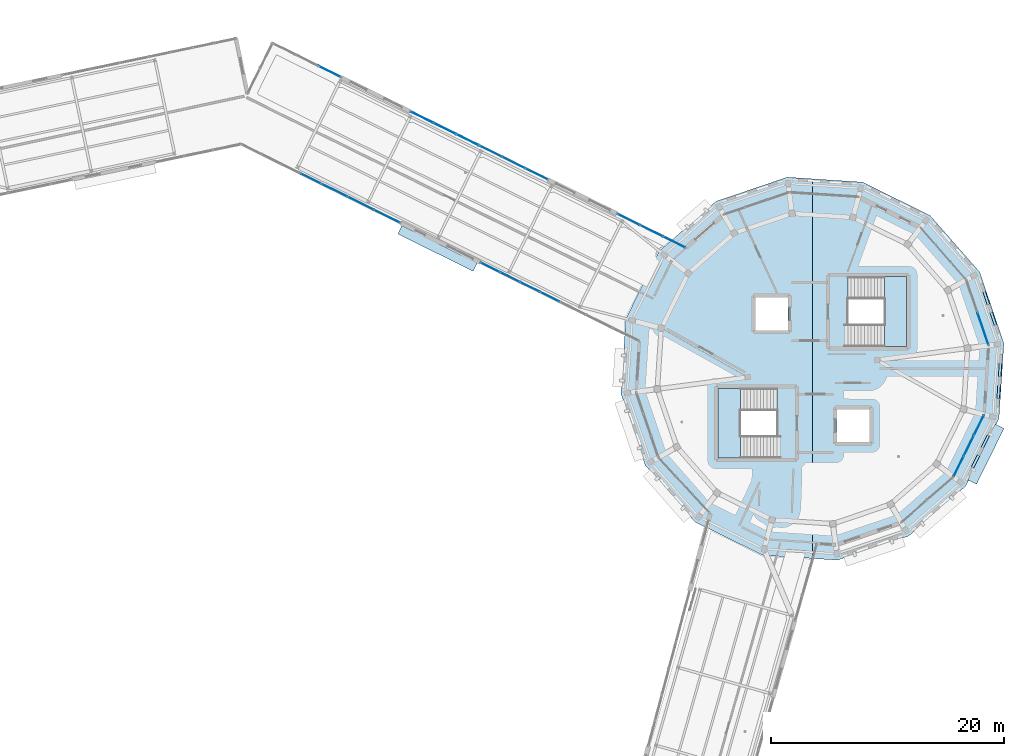
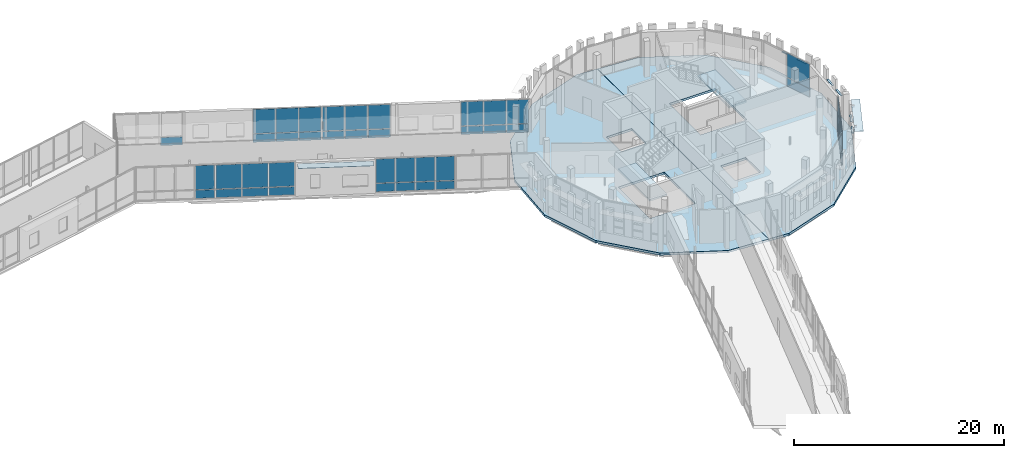
# One storey, part 82 of 125: 51 plates, 4 slabs, 11 elements without a shape of their own.
"""IFC4 building model written with IfcOpenShell, lengths in metres."""

import ifcopenshell
import ifcopenshell.guid

model = None  # the IFC model being written
_history = None  # IfcOwnerHistory: only IFC2X3 demands one
_inside = {}  # id of a spatial element -> (the spatial element, [elements in it])
_under = {}  # id of a project, library or spatial element -> (it, [spatial elements below it])
_declared = {}  # id of a project -> (the project, [libraries it declares])
_typed = {}  # id of a type object -> (the type object, [elements of that type])
_made_of = {}  # id of a material, layer set ... -> (it, [elements and type objects made of it])


def new_model(schema):
    """Start an empty IFC model of exactly this schema.

    Asked for "IFC4X3", IfcOpenShell would pick the latest addendum, in which some entities
    have other attributes; the version numbers below select the first issue.
    IFC2X3 requires an IfcOwnerHistory on every rooted entity: one is made here for all.
    """
    global model, _history
    if schema == "IFC4X3":
        model = ifcopenshell.file(schema_version=(4, 3, 0, 0))
    else:
        model = ifcopenshell.file(schema=schema)
    _inside.clear()
    _under.clear()
    _declared.clear()
    _typed.clear()
    _made_of.clear()
    _history = None
    if model.schema == "IFC2X3":
        org = make("IfcOrganization", Name="unknown")
        user = make(
            "IfcPersonAndOrganization",
            ThePerson=make("IfcPerson", FamilyName="unknown"),
            TheOrganization=org,
        )
        app = make(
            "IfcApplication",
            ApplicationDeveloper=org,
            Version="unknown",
            ApplicationFullName="unknown",
            ApplicationIdentifier="unknown",
        )
        _history = make(
            "IfcOwnerHistory",
            OwningUser=user,
            OwningApplication=app,
            ChangeAction="ADDED",
            CreationDate=0,
        )
    return model


def make(cls, **values):
    """One entity of the class cls with the attributes given. An attribute that is None is left unset."""
    return model.create_entity(
        cls, **{name: value for name, value in values.items() if value is not None}
    )


def rooted(cls, **values):
    """An entity with a GlobalId (a new one), such as an element, a storey or a relation."""
    return make(cls, GlobalId=ifcopenshell.guid.new(), OwnerHistory=_history, **values)


def si_unit(unit_type, name, prefix=None):
    """IfcSIUnit, for example si_unit("LENGTHUNIT", "METRE", prefix="MILLI")."""
    return make("IfcSIUnit", UnitType=unit_type, Prefix=prefix, Name=name)


def assignment(units):
    """IfcUnitAssignment: the units of a project."""
    return None if units is None else make("IfcUnitAssignment", Units=units)


def point(xyz):
    """IfcCartesianPoint."""
    return None if xyz is None else make("IfcCartesianPoint", Coordinates=xyz)


def direction(xyz):
    """IfcDirection."""
    return None if xyz is None else make("IfcDirection", DirectionRatios=xyz)


def frame(location, z_axis=None, x_axis=None):
    """IfcAxis2Placement3D, a coordinate frame: its origin and axes. An axis left out is left unset."""
    return make(
        "IfcAxis2Placement3D",
        Location=point(location),
        Axis=direction(z_axis),
        RefDirection=direction(x_axis),
    )


def frame_2d(location, x_axis=None):
    """IfcAxis2Placement2D, a coordinate frame in the plane: its origin and x axis."""
    return make(
        "IfcAxis2Placement2D", Location=point(location), RefDirection=direction(x_axis)
    )


def origin():
    """The frame at (0, 0, 0) with its axes left unset."""
    return frame((0.0, 0.0, 0.0))


def origin_2d():
    """The frame at (0, 0) in the plane with its x axis left unset."""
    return frame_2d((0.0, 0.0))


def place(relative_to, where):
    """IfcLocalPlacement: puts the frame where relative to a parent placement (None: the world)."""
    return make(
        "IfcLocalPlacement", PlacementRelTo=relative_to, RelativePlacement=where
    )


def context(
    kind, dimensions, precision=None, world=None, true_north=None, identifier=None
):
    """IfcGeometricRepresentationContext, for example the 3D "Model" context."""
    return make(
        "IfcGeometricRepresentationContext",
        ContextIdentifier=identifier,
        ContextType=kind,
        CoordinateSpaceDimension=dimensions,
        Precision=precision,
        WorldCoordinateSystem=world,
        TrueNorth=true_north,
    )


def subcontext(parent, identifier, kind, view, scale=None):
    """IfcGeometricRepresentationSubContext, for example "Body" below "Model"."""
    return make(
        "IfcGeometricRepresentationSubContext",
        ContextIdentifier=identifier,
        ContextType=kind,
        ParentContext=parent,
        TargetScale=scale,
        TargetView=view,
    )


def project(units=None, contexts=None):
    """IfcProject with its units and contexts."""
    return rooted(
        "IfcProject",
        Name="project",
        RepresentationContexts=contexts,
        UnitsInContext=assignment(units),
    )


def spatial(cls, under=None, at=None, **own):
    """A site, building, storey or space (cls), placed at a placement, below another one or the project."""
    s = rooted(cls, ObjectPlacement=at, **own)
    if under is not None:
        _under.setdefault(under.id(), (under, []))[1].append(s)
    return s


def polyline(points):
    """IfcPolyline through the points."""
    return make("IfcPolyline", Points=[point(p) for p in points])


def profile(cls, at=None, kind="AREA", **sizes):
    """A parametric profile (cls). Its sizes go by their IFC names, for example OverallWidth=200.0."""
    return make(cls, ProfileType=kind, Position=at, **sizes)


def rectangle(**sizes):
    """IfcRectangleProfileDef."""
    return profile("IfcRectangleProfileDef", **sizes)


def outline(outer, holes=None, kind="AREA"):
    """IfcArbitraryClosedProfileDef: a profile drawn as a closed curve; with holes, ...WithVoids."""
    if holes is None:
        return make("IfcArbitraryClosedProfileDef", ProfileType=kind, OuterCurve=outer)
    return make(
        "IfcArbitraryProfileDefWithVoids",
        ProfileType=kind,
        OuterCurve=outer,
        InnerCurves=holes,
    )


def extrude(swept, where, along, depth):
    """IfcExtrudedAreaSolid: the profile swept, set in the frame where, extruded along a direction by depth."""
    return make(
        "IfcExtrudedAreaSolid",
        SweptArea=swept,
        Position=where,
        ExtrudedDirection=direction(along),
        Depth=depth,
    )


def shape(context_of_items, identifier, shape_type, items):
    """IfcShapeRepresentation: the items that make up one representation, for example the "Body"."""
    return make(
        "IfcShapeRepresentation",
        ContextOfItems=context_of_items,
        RepresentationIdentifier=identifier,
        RepresentationType=shape_type,
        Items=items,
    )


def material(Name=None, Category=None):
    """IfcMaterial."""
    return make("IfcMaterial", Name=Name, Category=Category)


def layer(
    of_material, thickness, ventilated=None, Name=None, Category=None, Priority=None
):
    """IfcMaterialLayer: one layer of a wall or slab, of a material (None: an air gap)."""
    return make(
        "IfcMaterialLayer",
        Material=of_material,
        LayerThickness=thickness,
        IsVentilated=ventilated,
        Name=Name,
        Category=Category,
        Priority=Priority,
    )


def layer_set(layers, Name=None):
    """IfcMaterialLayerSet."""
    return make("IfcMaterialLayerSet", MaterialLayers=layers, LayerSetName=Name)


def made_of(thing, what):
    """Note that an element or type object is made of a material, layer set ...; save() writes the relation."""
    if what is not None:
        _made_of.setdefault(what.id(), (what, []))[1].append(thing)
    return thing


def type_object(cls, material=None, **own):
    """A type object (cls), such as IfcWallType, which elements share."""
    return made_of(rooted(cls, **own), material)


def element(
    cls,
    number,
    at=None,
    inside=None,
    cuts=None,
    type_object=None,
    material=None,
    context=None,
    identifier="Body",
    shape_type=None,
    held_by="IfcProductDefinitionShape",
    body=None,
    shapes=None,
    **own,
):
    """One element of the class cls, such as IfcWall. Its Tag is "e" and its number.

    at: its placement. inside: the storey or other place that contains it. cuts: it is an
    opening in that element (IfcRelVoidsElement). A single representation is given by context,
    identifier, shape_type and body (its items); several are given by shapes. held_by: the class
    of the entity that holds the representations. save() writes the other relations.
    """
    e = rooted(cls, Tag="e%d" % number, ObjectPlacement=at, **own)
    if body is not None:
        shapes = [shape(context, identifier, shape_type, body)]
    if shapes is not None:
        e.Representation = make(held_by, Representations=shapes)
    if inside is not None:
        _inside.setdefault(inside.id(), (inside, []))[1].append(e)
    if cuts is not None:
        rooted(
            "IfcRelVoidsElement", RelatingBuildingElement=cuts, RelatedOpeningElement=e
        )
    if type_object is not None:
        _typed.setdefault(type_object.id(), (type_object, []))[1].append(e)
    return made_of(e, material)


def aggregate(whole, parts):
    """IfcRelAggregates: a whole, such as a stair, and the parts it consists of."""
    return rooted("IfcRelAggregates", RelatingObject=whole, RelatedObjects=parts)


def save(model, path):
    """Write the relations noted so far, then the file.

    IfcRelAggregates (storeys below a building ...), IfcRelContainedInSpatialStructure (elements
    in a storey), IfcRelDefinesByType, IfcRelAssociatesMaterial and IfcRelDeclares: one each for
    every whole, place, type object, material and project.
    """
    for whole, parts in _under.values():
        aggregate(whole, parts)
    for where, things in _inside.values():
        rooted(
            "IfcRelContainedInSpatialStructure",
            RelatedElements=things,
            RelatingStructure=where,
        )
    for kind, things in _typed.values():
        rooted("IfcRelDefinesByType", RelatedObjects=things, RelatingType=kind)
    for what, things in _made_of.values():
        rooted("IfcRelAssociatesMaterial", RelatedObjects=things, RelatingMaterial=what)
    for by, libraries in _declared.values():
        rooted("IfcRelDeclares", RelatingContext=by, RelatedDefinitions=libraries)
    model.write(path)


model = new_model("IFC4")

# Units and contexts
model_context = context("Model", 3, precision=1e-05, world=origin(), true_north=direction((0.0, 1.0)))
body_context = subcontext(model_context, "Body", "Model", "MODEL_VIEW")
ifc_project = project(units=[si_unit("LENGTHUNIT", "METRE"), si_unit("AREAUNIT", "SQUARE_METRE"), si_unit("VOLUMEUNIT", "CUBIC_METRE"), si_unit("PLANEANGLEUNIT", "RADIAN"), si_unit("MASSUNIT", "GRAM", prefix="KILO")], contexts=[model_context])

# Site, building, storey
site_placement = place(None, origin())
site = spatial("IfcSite", under=ifc_project, at=site_placement, CompositionType="ELEMENT")
building_placement = place(site_placement, origin())
building = spatial("IfcBuilding", under=site, at=building_placement, Name="Wrenclough Park School", CompositionType="ELEMENT")
storey_placement = place(building_placement, frame((0.0, 0.0, 4.199951171875)))
storey = spatial("IfcBuildingStorey", under=building, at=storey_placement, Name="L01", CompositionType="ELEMENT", Elevation=4.199951171875)

# Curtain wall, plates
ifc_material_1 = material(Name="Thermally broken aluminium and low-e glass curtain wall", Category="aluminium")
curtain_wall_type_1 = type_object("IfcCurtainWallType", Name="ENV-CW-01", PredefinedType="USERDEFINED", material=ifc_material_1)
curtain_wall_1_placement = place(storey_placement, origin())
curtain_wall_1 = element("IfcCurtainWall", 1, at=curtain_wall_1_placement, inside=storey, type_object=curtain_wall_type_1, Name="L01 recessed curtain wall assembly 112", ObjectType="CURTAIN WALL", PredefinedType="USERDEFINED")
ifc_material_2 = material(Name="Double-glazed solar-control low-e glass", Category="glass")
ifc_layer_1 = layer(ifc_material_2, 0.02587890625)
ifc_layer_set_1 = layer_set([ifc_layer_1], Name="Double-glazed solar-control low-e glass")
plate_type_1 = type_object("IfcPlateType", Name="ENV-CWP-GL26", PredefinedType="CURTAIN_PANEL", material=ifc_layer_set_1)
plate_1_placement = place(storey_placement, frame((146.858642578125, 112.176513671875, 0.06494140625), z_axis=(0.0, 0.0, 1.0), x_axis=(0.896268771377, -0.443511318294, 0.0)))
plate_1 = element("IfcPlate", 2, at=plate_1_placement, type_object=plate_type_1, Name="CW-01 panel 1.1", PredefinedType="CURTAIN_PANEL", context=body_context, shape_type="SweptSolid", body=[
    extrude(rectangle(XDim=2.1015625, YDim=0.02587890625, at=origin_2d()), origin(), (0.0, 0.0, 1.0), 0.952392578125),
])
plate_2_placement = place(storey_placement, frame((146.858642578125, 112.176513671875, 1.08251953125), z_axis=(0.0, 0.0, 1.0), x_axis=(0.896268771377, -0.443511318294, 0.0)))
plate_2 = element("IfcPlate", 3, at=plate_2_placement, type_object=plate_type_1, Name="CW-01 panel 1.2", PredefinedType="CURTAIN_PANEL", context=body_context, shape_type="SweptSolid", body=[
    extrude(rectangle(XDim=2.1015625, YDim=0.02587890625, at=origin_2d()), origin(), (0.0, 0.0, 1.0), 2.79248046875),
])
plate_3_placement = place(storey_placement, frame((148.815185546875, 111.20849609375, 0.06494140625), z_axis=(0.0, 0.0, 1.0), x_axis=(0.896268771377, -0.443511318294, 0.0)))
plate_3 = element("IfcPlate", 4, at=plate_3_placement, type_object=plate_type_1, Name="CW-01 panel 2.1", PredefinedType="CURTAIN_PANEL", context=body_context, shape_type="SweptSolid", body=[
    extrude(rectangle(XDim=2.134033203125, YDim=0.02587890625, at=origin_2d()), origin(), (0.0, 0.0, 1.0), 0.952392578125),
])
plate_4_placement = place(storey_placement, frame((148.815185546875, 111.20849609375, 1.08251953125), z_axis=(0.0, 0.0, 1.0), x_axis=(0.896268771377, -0.443511318294, 0.0)))
plate_4 = element("IfcPlate", 5, at=plate_4_placement, type_object=plate_type_1, Name="CW-01 panel 2.2", PredefinedType="CURTAIN_PANEL", context=body_context, shape_type="SweptSolid", body=[
    extrude(rectangle(XDim=2.134033203125, YDim=0.02587890625, at=origin_2d()), origin(), (0.0, 0.0, 1.0), 2.79248046875),
])
plate_5_placement = place(storey_placement, frame((150.771728515625, 110.240478515625, 0.06494140625), z_axis=(0.0, 0.0, 1.0), x_axis=(0.896268771377, -0.443511318294, 0.0)))
plate_5 = element("IfcPlate", 6, at=plate_5_placement, type_object=plate_type_1, Name="CW-01 panel 3.1", PredefinedType="CURTAIN_PANEL", context=body_context, shape_type="SweptSolid", body=[
    extrude(rectangle(XDim=2.1015625, YDim=0.02587890625, at=origin_2d()), origin(), (0.0, 0.0, 1.0), 0.952392578125),
])
plate_6_placement = place(storey_placement, frame((150.771728515625, 110.240478515625, 1.08251953125), z_axis=(0.0, 0.0, 1.0), x_axis=(0.896268771377, -0.443511318294, 0.0)))
plate_6 = element("IfcPlate", 7, at=plate_6_placement, type_object=plate_type_1, Name="CW-01 panel 3.2", PredefinedType="CURTAIN_PANEL", context=body_context, shape_type="SweptSolid", body=[
    extrude(rectangle(XDim=2.1015625, YDim=0.02587890625, at=origin_2d()), origin(), (0.0, 0.0, 1.0), 2.79248046875),
])
aggregate(curtain_wall_1, [plate_1, plate_2, plate_3, plate_4, plate_5, plate_6])

curtain_wall_2_placement = place(storey_placement, origin())
curtain_wall_2 = element("IfcCurtainWall", 8, at=curtain_wall_2_placement, inside=storey, type_object=curtain_wall_type_1, Name="L01 recessed curtain wall assembly 160", ObjectType="CURTAIN WALL", PredefinedType="USERDEFINED")
plate_7_placement = place(storey_placement, frame((151.917724609375, 99.676513671875, 0.06494140625), z_axis=(0.0, 0.0, 1.0), x_axis=(-0.896272308051, 0.443504171144, 0.0)))
plate_7 = element("IfcPlate", 9, at=plate_7_placement, type_object=plate_type_1, Name="CW-01 panel 1.1", PredefinedType="CURTAIN_PANEL", context=body_context, shape_type="SweptSolid", body=[
    extrude(rectangle(XDim=1.810546875, YDim=0.02587890625, at=origin_2d()), origin(), (0.0, 0.0, 1.0), 0.952392578125),
])
plate_8_placement = place(storey_placement, frame((151.917724609375, 99.676513671875, 1.08251953125), z_axis=(0.0, 0.0, 1.0), x_axis=(-0.896272308051, 0.443504171144, 0.0)))
plate_8 = element("IfcPlate", 10, at=plate_8_placement, type_object=plate_type_1, Name="CW-01 panel 1.2", PredefinedType="CURTAIN_PANEL", context=body_context, shape_type="SweptSolid", body=[
    extrude(rectangle(XDim=1.810546875, YDim=0.02587890625, at=origin_2d()), origin(), (0.0, 0.0, 1.0), 2.79248046875),
])
plate_9_placement = place(storey_placement, frame((150.22216796875, 100.515380859375, 0.06494140625), z_axis=(0.0, 0.0, 1.0), x_axis=(-0.896272308051, 0.443504171144, 0.0)))
plate_9 = element("IfcPlate", 11, at=plate_9_placement, type_object=plate_type_1, Name="CW-01 panel 2.1", PredefinedType="CURTAIN_PANEL", context=body_context, shape_type="SweptSolid", body=[
    extrude(rectangle(XDim=1.843017578125, YDim=0.02587890625, at=origin_2d()), origin(), (0.0, 0.0, 1.0), 0.952392578125),
])
plate_10_placement = place(storey_placement, frame((150.22216796875, 100.515380859375, 1.08251953125), z_axis=(0.0, 0.0, 1.0), x_axis=(-0.896272308051, 0.443504171144, 0.0)))
plate_10 = element("IfcPlate", 12, at=plate_10_placement, type_object=plate_type_1, Name="CW-01 panel 2.2", PredefinedType="CURTAIN_PANEL", context=body_context, shape_type="SweptSolid", body=[
    extrude(rectangle(XDim=1.843017578125, YDim=0.02587890625, at=origin_2d()), origin(), (0.0, 0.0, 1.0), 2.79248046875),
])
plate_11_placement = place(storey_placement, frame((148.51220703125, 101.361572265625, 0.06494140625), z_axis=(0.0, 0.0, 1.0), x_axis=(-0.896272308051, 0.443504171144, 0.0)))
plate_11 = element("IfcPlate", 13, at=plate_11_placement, type_object=plate_type_1, Name="CW-01 panel 3.1", PredefinedType="CURTAIN_PANEL", context=body_context, shape_type="SweptSolid", body=[
    extrude(rectangle(XDim=1.843017578125, YDim=0.02587890625, at=origin_2d()), origin(), (0.0, 0.0, 1.0), 0.952392578125),
])
plate_12_placement = place(storey_placement, frame((148.51220703125, 101.361572265625, 1.08251953125), z_axis=(0.0, 0.0, 1.0), x_axis=(-0.896272308051, 0.443504171144, 0.0)))
plate_12 = element("IfcPlate", 14, at=plate_12_placement, type_object=plate_type_1, Name="CW-01 panel 3.2", PredefinedType="CURTAIN_PANEL", context=body_context, shape_type="SweptSolid", body=[
    extrude(rectangle(XDim=1.843017578125, YDim=0.02587890625, at=origin_2d()), origin(), (0.0, 0.0, 1.0), 2.79248046875),
])
plate_13_placement = place(storey_placement, frame((146.816650390625, 102.200439453125, 0.06494140625), z_axis=(0.0, 0.0, 1.0), x_axis=(-0.896272308051, 0.443504171144, 0.0)))
plate_13 = element("IfcPlate", 15, at=plate_13_placement, type_object=plate_type_1, Name="CW-01 panel 4.1", PredefinedType="CURTAIN_PANEL", context=body_context, shape_type="SweptSolid", body=[
    extrude(rectangle(XDim=1.810546875, YDim=0.02587890625, at=origin_2d()), origin(), (0.0, 0.0, 1.0), 0.952392578125),
])
plate_14_placement = place(storey_placement, frame((146.816650390625, 102.200439453125, 1.08251953125), z_axis=(0.0, 0.0, 1.0), x_axis=(-0.896272308051, 0.443504171144, 0.0)))
plate_14 = element("IfcPlate", 16, at=plate_14_placement, type_object=plate_type_1, Name="CW-01 panel 4.2", PredefinedType="CURTAIN_PANEL", context=body_context, shape_type="SweptSolid", body=[
    extrude(rectangle(XDim=1.810546875, YDim=0.02587890625, at=origin_2d()), origin(), (0.0, 0.0, 1.0), 2.79248046875),
])
aggregate(curtain_wall_2, [plate_7, plate_8, plate_9, plate_10, plate_11, plate_12, plate_13, plate_14])

curtain_wall_type_2 = type_object("IfcCurtainWallType", Name="ENV-CW-02", PredefinedType="USERDEFINED", material=ifc_material_1)
curtain_wall_3_placement = place(storey_placement, origin())
curtain_wall_3 = element("IfcCurtainWall", 17, at=curtain_wall_3_placement, inside=storey, type_object=curtain_wall_type_2, Name="L01 recessed curtain wall assembly 113", ObjectType="CURTAIN WALL", PredefinedType="USERDEFINED")
ifc_material_3 = material(Name="Double-glazed acoustic low-e glass", Category="glass")
ifc_layer_2 = layer(ifc_material_3, 0.030029296875)
ifc_layer_set_2 = layer_set([ifc_layer_2], Name="Double-glazed acoustic low-e glass")
plate_type_2 = type_object("IfcPlateType", Name="ENV-CWP-GL30", PredefinedType="CURTAIN_PANEL", material=ifc_layer_set_2)
plate_15_placement = place(storey_placement, frame((158.7001953125, 106.31689453125, 0.06982421875), z_axis=(0.0, 0.0, 1.0), x_axis=(0.896268771377, -0.443511318294, 0.0)))
plate_15 = element("IfcPlate", 18, at=plate_15_placement, type_object=plate_type_2, Name="CW-02 panel 1.1", PredefinedType="CURTAIN_PANEL", context=body_context, shape_type="SweptSolid", body=[
    extrude(rectangle(XDim=2.09423828125, YDim=0.030029296875, at=origin_2d()), origin(), (0.0, 0.0, 1.0), 0.945068359375),
])
plate_16_placement = place(storey_placement, frame((158.7001953125, 106.31689453125, 1.0849609375), z_axis=(0.0, 0.0, 1.0), x_axis=(0.896268771377, -0.443511318294, 0.0)))
plate_16 = element("IfcPlate", 19, at=plate_16_placement, type_object=plate_type_2, Name="CW-02 panel 1.2", PredefinedType="CURTAIN_PANEL", context=body_context, shape_type="SweptSolid", body=[
    extrude(rectangle(XDim=2.09423828125, YDim=0.030029296875, at=origin_2d()), origin(), (0.0, 0.0, 1.0), 2.784912109375),
])
plate_17_placement = place(storey_placement, frame((160.655517578125, 105.349365234375, 0.06982421875), z_axis=(0.0, 0.0, 1.0), x_axis=(0.896268771377, -0.443511318294, 0.0)))
plate_17 = element("IfcPlate", 20, at=plate_17_placement, type_object=plate_type_2, Name="CW-02 panel 2.1", PredefinedType="CURTAIN_PANEL", context=body_context, shape_type="SweptSolid", body=[
    extrude(rectangle(XDim=2.129150390625, YDim=0.030029296875, at=origin_2d()), origin(), (0.0, 0.0, 1.0), 0.945068359375),
])
plate_18_placement = place(storey_placement, frame((160.655517578125, 105.349365234375, 1.0849609375), z_axis=(0.0, 0.0, 1.0), x_axis=(0.896268771377, -0.443511318294, 0.0)))
plate_18 = element("IfcPlate", 21, at=plate_18_placement, type_object=plate_type_2, Name="CW-02 panel 2.2", PredefinedType="CURTAIN_PANEL", context=body_context, shape_type="SweptSolid", body=[
    extrude(rectangle(XDim=2.129150390625, YDim=0.030029296875, at=origin_2d()), origin(), (0.0, 0.0, 1.0), 2.784912109375),
])
plate_19_placement = place(storey_placement, frame((162.61083984375, 104.3818359375, 0.06982421875), z_axis=(0.0, 0.0, 1.0), x_axis=(0.896268771377, -0.443511318294, 0.0)))
plate_19 = element("IfcPlate", 22, at=plate_19_placement, type_object=plate_type_2, Name="CW-02 panel 3.1", PredefinedType="CURTAIN_PANEL", context=body_context, shape_type="SweptSolid", body=[
    extrude(rectangle(XDim=2.09423828125, YDim=0.030029296875, at=origin_2d()), origin(), (0.0, 0.0, 1.0), 0.945068359375),
])
plate_20_placement = place(storey_placement, frame((162.61083984375, 104.3818359375, 1.0849609375), z_axis=(0.0, 0.0, 1.0), x_axis=(0.896268771377, -0.443511318294, 0.0)))
plate_20 = element("IfcPlate", 23, at=plate_20_placement, type_object=plate_type_2, Name="CW-02 panel 3.2", PredefinedType="CURTAIN_PANEL", context=body_context, shape_type="SweptSolid", body=[
    extrude(rectangle(XDim=2.09423828125, YDim=0.030029296875, at=origin_2d()), origin(), (0.0, 0.0, 1.0), 2.784912109375),
])
aggregate(curtain_wall_3, [plate_15, plate_16, plate_17, plate_18, plate_19, plate_20])

curtain_wall_4_placement = place(storey_placement, origin())
curtain_wall_4 = element("IfcCurtainWall", 24, at=curtain_wall_4_placement, inside=storey, type_object=curtain_wall_type_2, Name="L01 recessed curtain wall assembly 161", ObjectType="CURTAIN WALL", PredefinedType="USERDEFINED")
plate_21_placement = place(storey_placement, frame((137.936767578125, 106.5947265625, 0.06982421875), z_axis=(0.0, 0.0, 1.0), x_axis=(-0.896272308051, 0.443504171144, 0.0)))
plate_21 = element("IfcPlate", 25, at=plate_21_placement, type_object=plate_type_2, Name="CW-02 panel 1.1", PredefinedType="CURTAIN_PANEL", context=body_context, shape_type="SweptSolid", body=[
    extrude(rectangle(XDim=2.43896484375, YDim=0.030029296875, at=origin_2d()), origin(), (0.0, 0.0, 1.0), 0.945068359375),
])
plate_22_placement = place(storey_placement, frame((137.936767578125, 106.5947265625, 1.0849609375), z_axis=(0.0, 0.0, 1.0), x_axis=(-0.896272308051, 0.443504171144, 0.0)))
plate_22 = element("IfcPlate", 26, at=plate_22_placement, type_object=plate_type_2, Name="CW-02 panel 1.2", PredefinedType="CURTAIN_PANEL", context=body_context, shape_type="SweptSolid", body=[
    extrude(rectangle(XDim=2.43896484375, YDim=0.030029296875, at=origin_2d()), origin(), (0.0, 0.0, 1.0), 2.784912109375),
])
plate_23_placement = place(storey_placement, frame((135.67236328125, 107.715087890625, 0.06982421875), z_axis=(0.0, 0.0, 1.0), x_axis=(-0.896272308051, 0.443504171144, 0.0)))
plate_23 = element("IfcPlate", 27, at=plate_23_placement, type_object=plate_type_2, Name="CW-02 panel 2.1", PredefinedType="CURTAIN_PANEL", context=body_context, shape_type="SweptSolid", body=[
    extrude(rectangle(XDim=2.473876953125, YDim=0.030029296875, at=origin_2d()), origin(), (0.0, 0.0, 1.0), 0.945068359375),
])
plate_24_placement = place(storey_placement, frame((135.67236328125, 107.715087890625, 1.0849609375), z_axis=(0.0, 0.0, 1.0), x_axis=(-0.896272308051, 0.443504171144, 0.0)))
plate_24 = element("IfcPlate", 28, at=plate_24_placement, type_object=plate_type_2, Name="CW-02 panel 2.2", PredefinedType="CURTAIN_PANEL", context=body_context, shape_type="SweptSolid", body=[
    extrude(rectangle(XDim=2.473876953125, YDim=0.030029296875, at=origin_2d()), origin(), (0.0, 0.0, 1.0), 2.784912109375),
])
plate_25_placement = place(storey_placement, frame((133.408203125, 108.835693359375, 0.06982421875), z_axis=(0.0, 0.0, 1.0), x_axis=(-0.896272308051, 0.443504171144, 0.0)))
plate_25 = element("IfcPlate", 29, at=plate_25_placement, type_object=plate_type_2, Name="CW-02 panel 3.1", PredefinedType="CURTAIN_PANEL", context=body_context, shape_type="SweptSolid", body=[
    extrude(rectangle(XDim=2.43896484375, YDim=0.030029296875, at=origin_2d()), origin(), (0.0, 0.0, 1.0), 0.945068359375),
])
plate_26_placement = place(storey_placement, frame((133.408203125, 108.835693359375, 1.0849609375), z_axis=(0.0, 0.0, 1.0), x_axis=(-0.896272308051, 0.443504171144, 0.0)))
plate_26 = element("IfcPlate", 30, at=plate_26_placement, type_object=plate_type_2, Name="CW-02 panel 3.2", PredefinedType="CURTAIN_PANEL", context=body_context, shape_type="SweptSolid", body=[
    extrude(rectangle(XDim=2.43896484375, YDim=0.030029296875, at=origin_2d()), origin(), (0.0, 0.0, 1.0), 2.784912109375),
])
aggregate(curtain_wall_4, [plate_21, plate_22, plate_23, plate_24, plate_25, plate_26])

curtain_wall_type_3 = type_object("IfcCurtainWallType", Name="ENV-CW-03", PredefinedType="USERDEFINED", material=ifc_material_1)
curtain_wall_5_placement = place(storey_placement, origin())
curtain_wall_5 = element("IfcCurtainWall", 31, at=curtain_wall_5_placement, inside=storey, type_object=curtain_wall_type_3, Name="L01 recessed curtain wall assembly 162", ObjectType="CURTAIN WALL", PredefinedType="USERDEFINED")
ifc_material_4 = material(Name="Triple-glazed senior-lab low-e glass", Category="glass")
ifc_layer_3 = layer(ifc_material_4, 0.033935546875)
ifc_layer_set_3 = layer_set([ifc_layer_3], Name="Triple-glazed senior-lab low-e glass")
plate_type_3 = type_object("IfcPlateType", Name="ENV-CWP-GL34", PredefinedType="CURTAIN_PANEL", material=ifc_layer_set_3)
plate_27_placement = place(storey_placement, frame((131.376708984375, 109.8408203125, 0.06005859375), z_axis=(0.0, 0.0, 1.0), x_axis=(-0.896267099488, 0.443514696909, 0.0)))
plate_27 = element("IfcPlate", 32, at=plate_27_placement, type_object=plate_type_3, Name="CW-03 panel 1.1", PredefinedType="CURTAIN_PANEL", context=body_context, shape_type="SweptSolid", body=[
    extrude(rectangle(XDim=1.81787109375, YDim=0.033935546875, at=origin_2d()), origin(), (0.0, 0.0, 1.0), 0.9599609375),
])
plate_28_placement = place(storey_placement, frame((131.376708984375, 109.8408203125, 1.080078125), z_axis=(0.0, 0.0, 1.0), x_axis=(-0.896267099488, 0.443514696909, 0.0)))
plate_28 = element("IfcPlate", 33, at=plate_28_placement, type_object=plate_type_3, Name="CW-03 panel 1.2", PredefinedType="CURTAIN_PANEL", context=body_context, shape_type="SweptSolid", body=[
    extrude(rectangle(XDim=1.81787109375, YDim=0.033935546875, at=origin_2d()), origin(), (0.0, 0.0, 1.0), 2.800048828125),
])
aggregate(curtain_wall_5, [plate_27, plate_28])

curtain_wall_type_4 = type_object("IfcCurtainWallType", Name="ENV-CW-06", PredefinedType="USERDEFINED", material=ifc_material_1)
curtain_wall_6_placement = place(storey_placement, origin())
curtain_wall_6 = element("IfcCurtainWall", 34, at=curtain_wall_6_placement, inside=storey, type_object=curtain_wall_type_4, Name="L01 recessed curtain wall assembly 117", ObjectType="CURTAIN WALL", PredefinedType="USERDEFINED")
ifc_material_5 = material(Name="Insulated anodised aluminium spandrel panel", Category="aluminium")
ifc_layer_4 = layer(ifc_material_5, 0.0419921875)
ifc_layer_set_4 = layer_set([ifc_layer_4], Name="Insulated anodised aluminium spandrel panel")
plate_type_4 = type_object("IfcPlateType", Name="ENV-CWP-SP42", PredefinedType="CURTAIN_PANEL", material=ifc_layer_set_4)
plate_29_placement = place(storey_placement, frame((189.16259765625, 96.92138671875, 0.06005859375), z_axis=(0.0, 0.0, 1.0), x_axis=(0.321428688473, -0.946933787668, 0.0)))
plate_29 = element("IfcPlate", 35, at=plate_29_placement, type_object=plate_type_4, Name="CW-06 panel 2.1", PredefinedType="CURTAIN_PANEL", context=body_context, shape_type="SweptSolid", body=[
    extrude(rectangle(XDim=2.886474609375, YDim=0.0419921875, at=origin_2d()), origin(), (0.0, 0.0, 1.0), 0.9599609375),
])
plate_30_placement = place(storey_placement, frame((189.16259765625, 96.92138671875, 1.080078125), z_axis=(0.0, 0.0, 1.0), x_axis=(0.321428688473, -0.946933787668, 0.0)))
plate_30 = element("IfcPlate", 36, at=plate_30_placement, type_object=plate_type_4, Name="CW-06 panel 2.2", PredefinedType="CURTAIN_PANEL", context=body_context, shape_type="SweptSolid", body=[
    extrude(rectangle(XDim=2.886474609375, YDim=0.0419921875, at=origin_2d()), origin(), (0.0, 0.0, 1.0), 2.800048828125),
])
aggregate(curtain_wall_6, [plate_29, plate_30])

# Curtain wall, plate
curtain_wall_type_5 = type_object("IfcCurtainWallType", Name="ENV-CW-15", PredefinedType="USERDEFINED", material=ifc_material_1)
curtain_wall_7_placement = place(storey_placement, origin())
curtain_wall_7 = element("IfcCurtainWall", 37, at=curtain_wall_7_placement, inside=storey, type_object=curtain_wall_type_5, Name="L01 recessed curtain wall assembly 110", ObjectType="CURTAIN WALL", PredefinedType="USERDEFINED")
ifc_material_6 = material(Name="Insulated patinated copper-toned spandrel panel", Category="aluminium")
ifc_layer_5 = layer(ifc_material_6, 0.048095703125)
ifc_layer_set_5 = layer_set([ifc_layer_5], Name="Insulated patinated copper-toned spandrel panel")
plate_type_5 = type_object("IfcPlateType", Name="ENV-CWP-SP48", PredefinedType="CURTAIN_PANEL", material=ifc_layer_set_5)
plate_31_placement = place(storey_placement, frame((133.010009765625, 119.029541015625, 0.06982421875), z_axis=(0.0, 0.0, 1.0), x_axis=(0.896268771377, -0.443511318294, 0.0)))
plate_31 = element("IfcPlate", 38, at=plate_31_placement, type_object=plate_type_5, Name="CW-15 panel 3.1", PredefinedType="CURTAIN_PANEL", context=body_context, shape_type="SweptSolid", body=[
    extrude(rectangle(XDim=2.09423828125, YDim=0.048095703125, at=origin_2d()), origin(), (0.0, 0.0, 1.0), 0.945068359375),
])
aggregate(curtain_wall_7, [plate_31])

# Curtain wall, plates
curtain_wall_type_6 = type_object("IfcCurtainWallType", Name="ENV-CW-07", PredefinedType="USERDEFINED", material=ifc_material_1)
curtain_wall_8_placement = place(storey_placement, origin())
curtain_wall_8 = element("IfcCurtainWall", 39, at=curtain_wall_8_placement, inside=storey, type_object=curtain_wall_type_6, Name="L01 recessed curtain wall assembly 118", ObjectType="CURTAIN WALL", PredefinedType="USERDEFINED")
plate_32_placement = place(storey_placement, frame((188.809326171875, 88.637939453125, 0.06494140625), z_axis=(0.0, 0.0, 1.0), x_axis=(-0.442301923806, -0.896866215328, 0.0)))
plate_32 = element("IfcPlate", 40, at=plate_32_placement, type_object=plate_type_5, Name="CW-07 panel 1.1", PredefinedType="CURTAIN_PANEL", context=body_context, shape_type="SweptSolid", body=[
    extrude(rectangle(XDim=1.886962890625, YDim=0.048095703125, at=origin_2d()), origin(), (0.0, 0.0, 1.0), 0.952392578125),
])
plate_33_placement = place(storey_placement, frame((188.809326171875, 88.637939453125, 1.08251953125), z_axis=(0.0, 0.0, 1.0), x_axis=(-0.442301923806, -0.896866215328, 0.0)))
plate_33 = element("IfcPlate", 41, at=plate_33_placement, type_object=plate_type_5, Name="CW-07 panel 1.2", PredefinedType="CURTAIN_PANEL", context=body_context, shape_type="SweptSolid", body=[
    extrude(rectangle(XDim=1.886962890625, YDim=0.048095703125, at=origin_2d()), origin(), (0.0, 0.0, 1.0), 2.79248046875),
])
plate_34_placement = place(storey_placement, frame((187.93896484375, 86.872802734375, 0.06494140625), z_axis=(0.0, 0.0, 1.0), x_axis=(-0.442301923806, -0.896866215328, 0.0)))
plate_34 = element("IfcPlate", 42, at=plate_34_placement, type_object=plate_type_5, Name="CW-07 panel 2.1", PredefinedType="CURTAIN_PANEL", context=body_context, shape_type="SweptSolid", body=[
    extrude(rectangle(XDim=1.91943359375, YDim=0.048095703125, at=origin_2d()), origin(), (0.0, 0.0, 1.0), 0.952392578125),
])
plate_35_placement = place(storey_placement, frame((187.93896484375, 86.872802734375, 1.08251953125), z_axis=(0.0, 0.0, 1.0), x_axis=(-0.442301923806, -0.896866215328, 0.0)))
plate_35 = element("IfcPlate", 43, at=plate_35_placement, type_object=plate_type_5, Name="CW-07 panel 2.2", PredefinedType="CURTAIN_PANEL", context=body_context, shape_type="SweptSolid", body=[
    extrude(rectangle(XDim=1.91943359375, YDim=0.048095703125, at=origin_2d()), origin(), (0.0, 0.0, 1.0), 2.79248046875),
])
plate_36_placement = place(storey_placement, frame((187.068359375, 85.107421875, 0.06494140625), z_axis=(0.0, 0.0, 1.0), x_axis=(-0.442301923806, -0.896866215328, 0.0)))
plate_36 = element("IfcPlate", 44, at=plate_36_placement, type_object=plate_type_5, Name="CW-07 panel 3.1", PredefinedType="CURTAIN_PANEL", context=body_context, shape_type="SweptSolid", body=[
    extrude(rectangle(XDim=1.886962890625, YDim=0.048095703125, at=origin_2d()), origin(), (0.0, 0.0, 1.0), 0.952392578125),
])
plate_37_placement = place(storey_placement, frame((187.068359375, 85.107421875, 1.08251953125), z_axis=(0.0, 0.0, 1.0), x_axis=(-0.442301923806, -0.896866215328, 0.0)))
plate_37 = element("IfcPlate", 45, at=plate_37_placement, type_object=plate_type_5, Name="CW-07 panel 3.2", PredefinedType="CURTAIN_PANEL", context=body_context, shape_type="SweptSolid", body=[
    extrude(rectangle(XDim=1.886962890625, YDim=0.048095703125, at=origin_2d()), origin(), (0.0, 0.0, 1.0), 2.79248046875),
])
aggregate(curtain_wall_8, [plate_32, plate_33, plate_34, plate_35, plate_36, plate_37])

curtain_wall_type_7 = type_object("IfcCurtainWallType", Name="ENV-CW-16", PredefinedType="USERDEFINED", material=ifc_material_1)
curtain_wall_9_placement = place(storey_placement, origin())
curtain_wall_9 = element("IfcCurtainWall", 46, at=curtain_wall_9_placement, inside=storey, type_object=curtain_wall_type_7, Name="L01 recessed curtain wall assembly 111", ObjectType="CURTAIN WALL", PredefinedType="USERDEFINED")
ifc_material_7 = material(Name="Acoustic mineral-wool spandrel cassette", Category="aluminium")
ifc_layer_6 = layer(ifc_material_7, 0.053955078125)
ifc_layer_set_6 = layer_set([ifc_layer_6], Name="Acoustic mineral-wool spandrel cassette")
plate_type_6 = type_object("IfcPlateType", Name="ENV-CWP-SP54", PredefinedType="CURTAIN_PANEL", material=ifc_layer_set_6)
plate_38_placement = place(storey_placement, frame((140.9375, 115.106689453125, 0.06005859375), z_axis=(0.0, 0.0, 1.0), x_axis=(0.896268771377, -0.443511318294, 0.0)))
plate_38 = element("IfcPlate", 47, at=plate_38_placement, type_object=plate_type_6, Name="CW-16 panel 1.1", PredefinedType="CURTAIN_PANEL", context=body_context, shape_type="SweptSolid", body=[
    extrude(rectangle(XDim=2.109130859375, YDim=0.053955078125, at=origin_2d()), origin(), (0.0, 0.0, 1.0), 0.9599609375),
])
plate_39_placement = place(storey_placement, frame((140.9375, 115.106689453125, 1.080078125), z_axis=(0.0, 0.0, 1.0), x_axis=(0.896268771377, -0.443511318294, 0.0)))
plate_39 = element("IfcPlate", 48, at=plate_39_placement, type_object=plate_type_6, Name="CW-16 panel 1.2", PredefinedType="CURTAIN_PANEL", context=body_context, shape_type="SweptSolid", body=[
    extrude(rectangle(XDim=2.109130859375, YDim=0.053955078125, at=origin_2d()), origin(), (0.0, 0.0, 1.0), 2.800048828125),
])
plate_40_placement = place(storey_placement, frame((142.89501953125, 114.13818359375, 0.06005859375), z_axis=(0.0, 0.0, 1.0), x_axis=(0.896268771377, -0.443511318294, 0.0)))
plate_40 = element("IfcPlate", 49, at=plate_40_placement, type_object=plate_type_6, Name="CW-16 panel 2.1", PredefinedType="CURTAIN_PANEL", context=body_context, shape_type="SweptSolid", body=[
    extrude(rectangle(XDim=2.13916015625, YDim=0.053955078125, at=origin_2d()), origin(), (0.0, 0.0, 1.0), 0.9599609375),
])
plate_41_placement = place(storey_placement, frame((142.89501953125, 114.13818359375, 1.080078125), z_axis=(0.0, 0.0, 1.0), x_axis=(0.896268771377, -0.443511318294, 0.0)))
plate_41 = element("IfcPlate", 50, at=plate_41_placement, type_object=plate_type_6, Name="CW-16 panel 2.2", PredefinedType="CURTAIN_PANEL", context=body_context, shape_type="SweptSolid", body=[
    extrude(rectangle(XDim=2.13916015625, YDim=0.053955078125, at=origin_2d()), origin(), (0.0, 0.0, 1.0), 2.800048828125),
])
plate_42_placement = place(storey_placement, frame((144.8525390625, 113.16943359375, 0.06005859375), z_axis=(0.0, 0.0, 1.0), x_axis=(0.896268771377, -0.443511318294, 0.0)))
plate_42 = element("IfcPlate", 51, at=plate_42_placement, type_object=plate_type_6, Name="CW-16 panel 3.1", PredefinedType="CURTAIN_PANEL", context=body_context, shape_type="SweptSolid", body=[
    extrude(rectangle(XDim=2.109130859375, YDim=0.053955078125, at=origin_2d()), origin(), (0.0, 0.0, 1.0), 0.9599609375),
])
plate_43_placement = place(storey_placement, frame((144.8525390625, 113.16943359375, 1.080078125), z_axis=(0.0, 0.0, 1.0), x_axis=(0.896268771377, -0.443511318294, 0.0)))
plate_43 = element("IfcPlate", 52, at=plate_43_placement, type_object=plate_type_6, Name="CW-16 panel 3.2", PredefinedType="CURTAIN_PANEL", context=body_context, shape_type="SweptSolid", body=[
    extrude(rectangle(XDim=2.109130859375, YDim=0.053955078125, at=origin_2d()), origin(), (0.0, 0.0, 1.0), 2.800048828125),
])
aggregate(curtain_wall_9, [plate_38, plate_39, plate_40, plate_41, plate_42, plate_43])

# Plates
ifc_material_8 = material(Name="Anodised architectural aluminium solar shading fin plate", Category="aluminium")
ifc_layer_7 = layer(ifc_material_8, 0.0380859375)
ifc_layer_set_7 = layer_set([ifc_layer_7], Name="Anodised architectural aluminium solar shading fin plate")
plate_type_7 = type_object("IfcPlateType", Name="ENV-PL-BSF", PredefinedType="SHEET", material=ifc_layer_set_7)
for number, where, z_axis, x_axis, name in (
    (53, (190.04833984375, 97.78662109375, 2.72216796875), (0.0, 0.0, 1.0), (-0.321426842345, 0.946934414318, 0.0), "D5 L01 open-bond brick screen tie band 0259"),
    (54, (189.44482421875, 99.564453125, 2.72216796875), (0.0, 0.0, 1.0), (-0.321426842345, 0.946934414318, 0.0), "D5 L01 open-bond brick screen tie band 0260"),
    (55, (188.525146484375, 85.53662109375, 2.72216796875), (0.0, 0.0, 1.0), (0.44229991762, 0.896867204704, 0.0), "D5 L01 open-bond brick screen tie band 0279"),
    (56, (189.355712890625, 87.220458984375, 2.72216796875), (0.0, 0.0, 1.0), (0.44229991762, 0.896867204704, 0.0), "D5 L01 open-bond brick screen tie band 0280"),
):
    element("IfcPlate", number, at=place(storey_placement, frame(where, z_axis=z_axis, x_axis=x_axis)), inside=storey, type_object=plate_type_7, Name=name, PredefinedType="SHEET", context=body_context, shape_type="SweptSolid", body=[
        extrude(rectangle(XDim=1.16748046875, YDim=0.219970703125, at=origin_2d()), origin(), (0.0, 0.0, 1.0), 0.0419921875),
    ])
plate_44_placement = place(storey_placement, frame((189.404541015625, 86.149658203125, 3.700927734375), z_axis=(0.0, 0.0, 1.0), x_axis=(0.44229991762, 0.896867204704, 0.0)))
element("IfcPlate", 57, at=plate_44_placement, inside=storey, type_object=plate_type_7, Name="D5 L01 sun-side projecting brise-soleil blade 0039", PredefinedType="SHEET", context=body_context, shape_type="SweptSolid", body=[
    extrude(rectangle(XDim=5.332763671875, YDim=0.85009765625, at=origin_2d()), origin(), (0.0, 0.0, 1.0), 0.0380859375),
])
for number, where, z_axis, x_axis, name in (
    (58, (190.505126953125, 91.51025390625, 2.72216796875), (0.0, 0.0, 1.0), (0.065406580317, 0.997858697036, 0.0), "D5 L01 open-bond brick screen tie band 0281"),
    (59, (190.6279296875, 93.3837890625, 2.72216796875), (0.0, 0.0, 1.0), (0.065406580317, 0.997858697036, 0.0), "D5 L01 open-bond brick screen tie band 0282"),
):
    element("IfcPlate", number, at=place(storey_placement, frame(where, z_axis=z_axis, x_axis=x_axis)), inside=storey, type_object=plate_type_7, Name=name, PredefinedType="SHEET", context=body_context, shape_type="SweptSolid", body=[
        extrude(rectangle(XDim=1.16748046875, YDim=0.219970703125, at=origin_2d()), origin(), (0.0, 0.0, 1.0), 0.0419921875),
    ])
plate_45_placement = place(storey_placement, frame((142.27490234375, 103.83154296875, 3.720947265625), z_axis=(0.0, 0.0, 1.0), x_axis=(-0.896267743622, 0.443513395224, 0.0)))
element("IfcPlate", 60, at=plate_45_placement, inside=storey, type_object=plate_type_7, Name="L01 link wing sun-side brise-soleil blade 0162", PredefinedType="SHEET", context=body_context, shape_type="SweptSolid", body=[
    extrude(rectangle(XDim=7.239990234375, YDim=0.800048828125, at=origin_2d()), origin(), (0.0, 0.0, 1.0), 0.0380859375),
])

# Stair, slab
ifc_material_9 = material(Name="Precast concrete C40/50", Category="concrete")
stair_type = type_object("IfcStairType", Name="INT-ST-190-42", PredefinedType="HALF_TURN_STAIR", material=ifc_material_9)
stair_1_placement = place(storey_placement, origin())
stair_1 = element("IfcStair", 61, at=stair_1_placement, inside=storey, type_object=stair_type, Name="L01 escape stair ST-05", PredefinedType="HALF_TURN_STAIR")
ifc_layer_8 = layer(ifc_material_9, 0.195068359375)
ifc_layer_set_8 = layer_set([ifc_layer_8], Name="Precast concrete C40/50")
slab_type_1 = type_object("IfcSlabType", Name="INT-SL-LAND195", PredefinedType="LANDING", material=ifc_layer_set_8)
slab_1_placement = place(storey_placement, frame((0.0, 0.0, 1.989013671875)))
slab_1 = element("IfcSlab", 62, at=slab_1_placement, type_object=slab_type_1, Name="ST-05 landing 1", PredefinedType="LANDING", context=body_context, shape_type="SweptSolid", body=[
    extrude(outline(polyline([(166.39990234375, 85.800048828125), (168.322998046875, 85.800048828125), (168.322998046875, 91.800048828125), (166.39990234375, 91.800048828125), (166.39990234375, 85.800048828125)])), origin(), (0.0, 0.0, 1.0), 0.195068359375),
])
aggregate(stair_1, [slab_1])

stair_2_placement = place(storey_placement, origin())
stair_2 = element("IfcStair", 63, at=stair_2_placement, inside=storey, type_object=stair_type, Name="L01 escape stair ST-06", PredefinedType="HALF_TURN_STAIR")
slab_2_placement = place(storey_placement, frame((0.0, 0.0, 1.989013671875)))
slab_2 = element("IfcSlab", 64, at=slab_2_placement, type_object=slab_type_1, Name="ST-06 landing 1", PredefinedType="LANDING", context=body_context, shape_type="SweptSolid", body=[
    extrude(outline(polyline([(180.677001953125, 95.39990234375), (182.60009765625, 95.39990234375), (182.60009765625, 101.39990234375), (180.677001953125, 101.39990234375), (180.677001953125, 95.39990234375)])), origin(), (0.0, 0.0, 1.0), 0.195068359375),
])
aggregate(stair_2, [slab_2])

# Slabs
ifc_material_10 = material(Name="Concrete C35/45", Category="concrete")
ifc_layer_9 = layer(ifc_material_10, 0.264892578125)
ifc_layer_set_9 = layer_set([ifc_layer_9], Name="Concrete C35/45")
slab_type_2 = type_object("IfcSlabType", Name="STR-SL-FL265", PredefinedType="FLOOR", material=ifc_layer_set_9)
slab_3_placement = place(storey_placement, frame((0.0, 0.0, -0.264892578125)))
element("IfcSlab", 65, at=slab_3_placement, inside=storey, type_object=slab_type_2, Name="D5 L01 structural slab SLAB-D5-L01-W", PredefinedType="FLOOR", context=body_context, shape_type="SweptSolid", body=[
    extrude(outline(polyline([(170.20361328125, 77.465576171875), (174.493896484375, 77.184326171875), (174.493896484375, 109.81640625), (172.333251953125, 109.9580078125), (166.199951171875, 107.8759765625), (161.330322265625, 103.60546875), (158.465576171875, 97.79638671875), (158.0419921875, 91.333251953125), (160.1240234375, 85.199951171875), (164.39453125, 80.330322265625), (170.20361328125, 77.465576171875)]), holes=[polyline([(166.39990234375, 85.800048828125), (171.451904296875, 85.800048828125), (171.451904296875, 91.800048828125), (166.39990234375, 91.800048828125), (166.39990234375, 85.800048828125)]), polyline([(169.60009765625, 96.800048828125), (172.39990234375, 96.800048828125), (172.39990234375, 99.60009765625), (169.60009765625, 99.60009765625), (169.60009765625, 96.800048828125)])]), origin(), (0.0, 0.0, 1.0), 0.264892578125),
])
slab_4_placement = place(storey_placement, frame((0.0, 0.0, -0.264892578125)))
element("IfcSlab", 66, at=slab_4_placement, inside=storey, type_object=slab_type_2, Name="D5 L01 structural slab SLAB-D5-L01-E", PredefinedType="FLOOR", context=body_context, shape_type="SweptSolid", body=[
    extrude(outline(polyline([(178.79638671875, 109.534423828125), (174.506103515625, 109.815673828125), (174.506103515625, 77.18359375), (176.666748046875, 77.0419921875), (182.800048828125, 79.1240234375), (187.669677734375, 83.39453125), (190.534423828125, 89.20361328125), (190.9580078125, 95.666748046875), (188.8759765625, 101.800048828125), (184.60546875, 106.669677734375), (178.79638671875, 109.534423828125)]), holes=[polyline([(176.60009765625, 87.199951171875), (179.39990234375, 87.199951171875), (179.39990234375, 90.0), (176.60009765625, 90.0), (176.60009765625, 87.199951171875)]), polyline([(177.548095703125, 95.39990234375), (182.60009765625, 95.39990234375), (182.60009765625, 101.39990234375), (177.548095703125, 101.39990234375), (177.548095703125, 95.39990234375)])]), origin(), (0.0, 0.0, 1.0), 0.264892578125),
])

save(model, "model.ifc")
